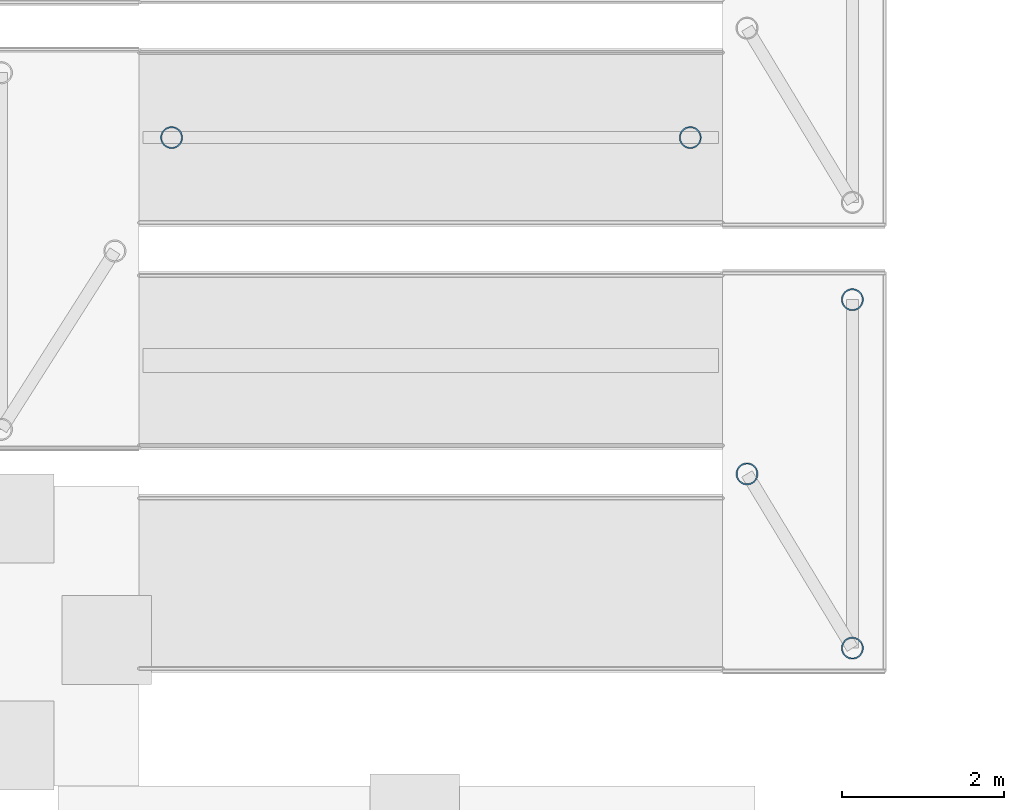
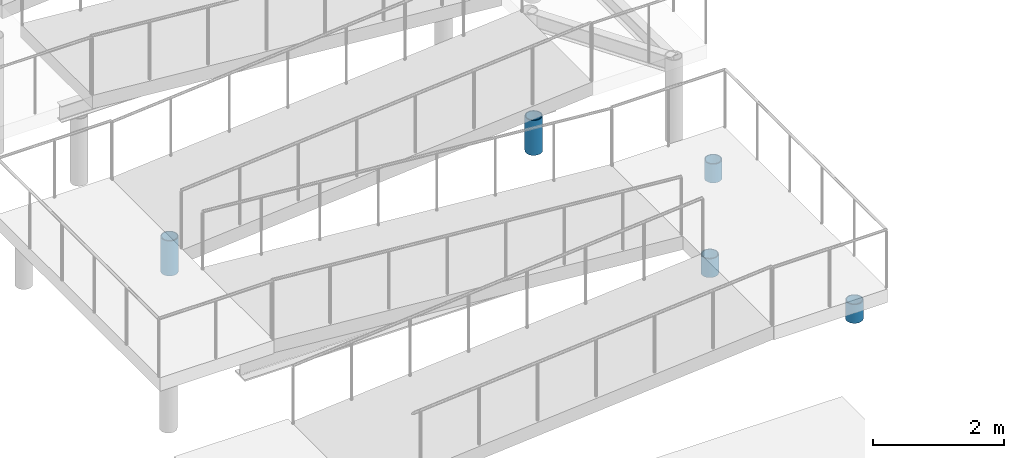
# One storey, part 18 of 108: 5 columns.
"""IFC4 building model written with IfcOpenShell, lengths in metres."""

from ifc_helpers import new_model, si_unit, direction, frame, origin, origin_2d, place, context, subcontext, project, spatial, hollow_circle, extrude, material, material_profile, profile_set, type_object, element, save


model = new_model("IFC4")

# Units and contexts
model_context = context("Model", 3, precision=1e-05, world=origin(), true_north=direction((0.0, 1.0)))
body_context = subcontext(model_context, "Body", "Model", "MODEL_VIEW")
ifc_project = project(units=[si_unit("LENGTHUNIT", "METRE"), si_unit("AREAUNIT", "SQUARE_METRE"), si_unit("VOLUMEUNIT", "CUBIC_METRE"), si_unit("PLANEANGLEUNIT", "RADIAN"), si_unit("MASSUNIT", "GRAM", prefix="KILO")], contexts=[model_context])

# Site, building, storey
site_placement = place(None, origin())
site = spatial("IfcSite", under=ifc_project, at=site_placement, CompositionType="ELEMENT")
building_placement = place(site_placement, origin())
building = spatial("IfcBuilding", under=site, at=building_placement, Name="Tarnveldt Headland Concert Hall", CompositionType="ELEMENT")
storey_placement = place(building_placement, origin())
storey = spatial("IfcBuildingStorey", under=building, at=storey_placement, Name="L00", CompositionType="ELEMENT", Elevation=0.0)

# Columns
ifc_material = material(Name="Steel S355", Category="steel")
ifc_material_profile = material_profile(ifc_material, hollow_circle(Radius=0.136474609375, WallThickness=0.01611328125, at=origin_2d()), Name="CHS 273x16", Category="steel")
ifc_profile_set = profile_set([ifc_material_profile], Name="Steel S355")
column_type = type_object("IfcColumnType", Name="SC-CHS273", PredefinedType="COLUMN", material=ifc_profile_set)
for number, where, z_axis, x_axis, name in (
    (1, (134.60009765625, 15.699951171875, 0.0), (0.0, 0.0, 1.0), (1.0, 0.0, 0.0), "Ramp landing pier E1S"),
    (2, (134.60009765625, 20.0, 0.0), (0.0, 0.0, 1.0), (1.0, 0.0, 0.0), "Ramp landing pier E1N"),
    (3, (133.300048828125, 17.85009765625, 0.0), (0.0, 0.0, 1.0), (1.0, 0.0, 0.0), "Ramp landing pier E1M"),
):
    element("IfcColumn", number, at=place(storey_placement, frame(where, z_axis=z_axis, x_axis=x_axis)), inside=storey, type_object=column_type, Name=name, PredefinedType="COLUMN", context=body_context, shape_type="SweptSolid", body=[
        extrude(hollow_circle(Radius=0.136474609375, WallThickness=0.01611328125, at=origin_2d()), origin(), (0.0, 0.0, 1.0), 0.35009765625),
    ])
for number, where, z_axis, x_axis, name in (
    (4, (126.199951171875, 22.0, 0.0), (0.0, 0.0, 1.0), (1.0, 0.0, 0.0), "Ramp flight 3 support pier W"),
    (5, (132.60009765625, 22.0, 0.0), (0.0, 0.0, 1.0), (1.0, 0.0, 0.0), "Ramp flight 3 support pier E"),
):
    element("IfcColumn", number, at=place(storey_placement, frame(where, z_axis=z_axis, x_axis=x_axis)), inside=storey, type_object=column_type, Name=name, PredefinedType="COLUMN", context=body_context, shape_type="SweptSolid", body=[
        extrude(hollow_circle(Radius=0.136474609375, WallThickness=0.01611328125, at=origin_2d()), origin(), (0.0, 0.0, 1.0), 0.64990234375),
    ])

save(model, "model.ifc")
